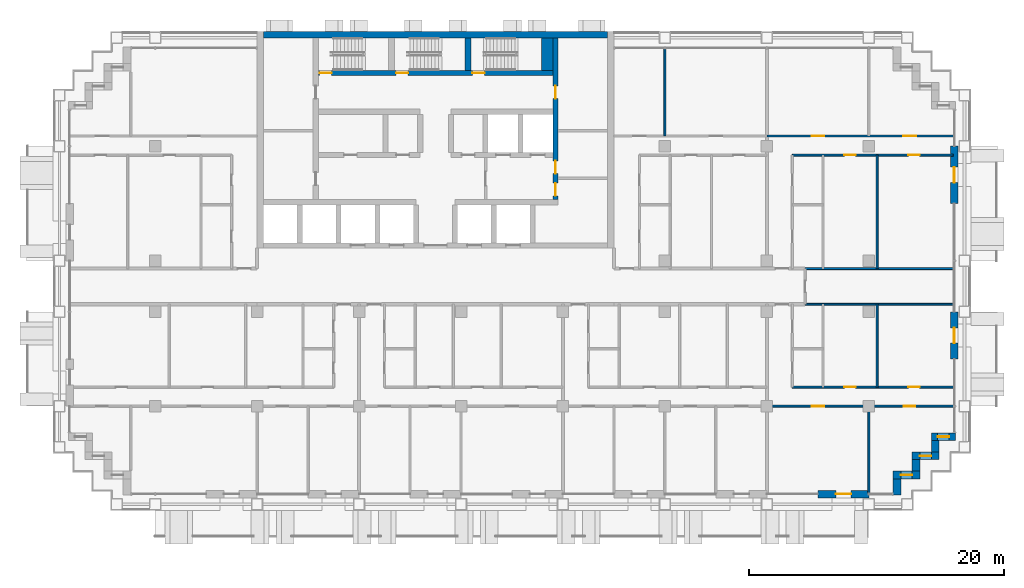
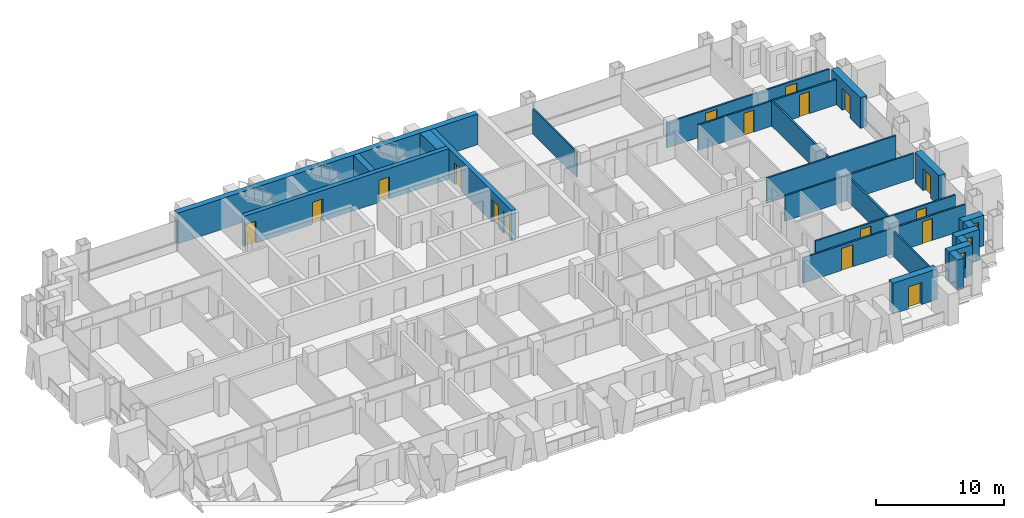
# One storey, part 13 of 18: 24 walls, 17 doors, 3 windows, 20 openings.
"""IFC4 building model written with IfcOpenShell, lengths in metres."""

from ifc_helpers import new_model, si_unit, direction, frame, frame_2d, origin, place, context, subcontext, project, spatial, rectangle, extrude, material, layer, layer_set, type_object, element, fill, save


model = new_model("IFC4")

# Units and contexts
model_context = context("Model", 3, precision=1e-05, world=origin(), true_north=direction((0.0, 1.0)))
body_context = subcontext(model_context, "Body", "Model", "MODEL_VIEW")
ifc_project = project(units=[si_unit("LENGTHUNIT", "METRE"), si_unit("AREAUNIT", "SQUARE_METRE"), si_unit("VOLUMEUNIT", "CUBIC_METRE"), si_unit("PLANEANGLEUNIT", "RADIAN"), si_unit("MASSUNIT", "GRAM", prefix="KILO")], contexts=[model_context])

# Site, building, storey
site_placement = place(None, origin())
site = spatial("IfcSite", under=ifc_project, at=site_placement, CompositionType="ELEMENT")
building_placement = place(site_placement, origin())
building = spatial("IfcBuilding", under=site, at=building_placement, Name="Vidyagriha Tower", CompositionType="ELEMENT")
storey_placement = place(building_placement, frame((0.0, 0.0, 83.89990234375)))
storey = spatial("IfcBuildingStorey", under=building, at=storey_placement, Name="L21", CompositionType="ELEMENT", Elevation=83.89990234375)

# Wall, opening, door
ifc_material_1 = material(Name="Precast concrete C40/50 with brick facing", Category="concrete")
ifc_layer_1 = layer(ifc_material_1, 0.60009765625)
ifc_layer_set_1 = layer_set([ifc_layer_1], Name="Precast concrete C40/50 with brick facing")
wall_type_1 = type_object("IfcWallType", Name="Brick-faced precast wall 600", PredefinedType="STANDARD", material=ifc_layer_set_1)
wall_1_placement = place(storey_placement, frame((30.0, -16.300048828125, 0.0)))
wall_1 = element("IfcWall", 1, at=wall_1_placement, inside=storey, type_object=wall_type_1, Name="Brick door bay wall L21 R23.15", PredefinedType="STANDARD", context=body_context, shape_type="SweptSolid", body=[
    extrude(rectangle(XDim=4.0, YDim=0.60009765625, at=frame_2d((2.0, 0.0))), origin(), (0.0, 0.0, 1.0), 2.920166015625),
])
opening_1_placement = place(wall_1_placement, frame((1.39990234375, 0.0, 0.0)))
opening_1 = element("IfcOpeningElement", 2, at=opening_1_placement, cuts=wall_1, Name="Opening D21-80", PredefinedType="OPENING", context=body_context, shape_type="SweptSolid", body=[
    extrude(rectangle(XDim=1.199951171875, YDim=2.10009765625, at=frame_2d((0.60009765625, 1.050048828125))), frame((0.0, 0.31005859375, 0.0), z_axis=(0.0, -1.0, 0.0), x_axis=(1.0, 0.0, 0.0)), (0.0, 0.0, 1.0), 0.6201171875),
])
ifc_material_2 = material(Name="Aluminium framed glazed sliding door", Category="aluminium")
door_type_1 = type_object("IfcDoorType", Name="Balcony sliding door 1200x2100", OperationType="NOTDEFINED", PredefinedType="DOOR", material=ifc_material_2)
door_1_placement = place(opening_1_placement, origin())
door_1 = element("IfcDoor", 3, at=door_1_placement, inside=storey, type_object=door_type_1, Name="Door D21-80", OperationType="SLIDING_TO_LEFT", OverallHeight=2.10009765625, OverallWidth=1.199951171875, PredefinedType="DOOR", context=body_context, shape_type="SweptSolid", body=[
    extrude(rectangle(XDim=1.199951171875, YDim=2.10009765625, at=frame_2d((0.60009765625, 1.050048828125))), frame((0.0, 0.02490234375, 0.0), z_axis=(0.0, -1.0, 0.0), x_axis=(1.0, 0.0, 0.0)), (0.0, 0.0, 1.0), 0.050048828125),
])
fill(opening_1, door_1)

# Wall
wall_2_placement = place(storey_placement, frame((36.199951171875, -16.3798828125, 0.0), z_axis=(0.0, 0.0, 1.0), x_axis=(0.0, 1.0, 0.0)))
element("IfcWall", 4, at=wall_2_placement, inside=storey, type_object=wall_type_1, Name="Stepped corner wall L21 R24", PredefinedType="STANDARD", context=body_context, shape_type="SweptSolid", body=[
    extrude(rectangle(XDim=1.27978515625, YDim=0.60009765625, at=frame_2d((0.639892578125, 0.0))), origin(), (0.0, 0.0, 1.0), 2.920166015625),
])

# Wall, opening, window
wall_3_placement = place(storey_placement, frame((35.89990234375, -14.800048828125, 0.0)))
wall_3 = element("IfcWall", 5, at=wall_3_placement, inside=storey, type_object=wall_type_1, Name="Stepped corner wall L21 R25", PredefinedType="STANDARD", context=body_context, shape_type="SweptSolid", body=[
    extrude(rectangle(XDim=2.10009765625, YDim=0.60009765625, at=frame_2d((1.050048828125, 0.0))), origin(), (0.0, 0.0, 1.0), 2.920166015625),
])
opening_2_placement = place(wall_3_placement, frame((0.60009765625, 0.0, 0.89990234375)))
opening_2 = element("IfcOpeningElement", 6, at=opening_2_placement, cuts=wall_3, Name="Opening WN1", PredefinedType="OPENING", context=body_context, shape_type="SweptSolid", body=[
    extrude(rectangle(XDim=0.89990234375, YDim=1.5, at=frame_2d((0.449951171875, 0.75))), frame((0.0, 0.31005859375, 0.0), z_axis=(0.0, -1.0, 0.0), x_axis=(1.0, 0.0, 0.0)), (0.0, 0.0, 1.0), 0.6201171875),
])
ifc_material_3 = material(Name="Aluminium and glass window", Category="aluminium")
window_type = type_object("IfcWindowType", Name="Reveal window 900x1500", PartitioningType="NOTDEFINED", PredefinedType="WINDOW", material=ifc_material_3)
window_1_placement = place(opening_2_placement, origin())
window_1 = element("IfcWindow", 7, at=window_1_placement, inside=storey, type_object=window_type, Name="Reveal window L21 R25", OverallHeight=1.5, OverallWidth=0.89990234375, PartitioningType="SINGLE_PANEL", PredefinedType="WINDOW", context=body_context, shape_type="SweptSolid", body=[
    extrude(rectangle(XDim=0.89990234375, YDim=1.5, at=frame_2d((0.449951171875, 0.75))), frame((0.0, 0.030029296875, 0.0), z_axis=(0.0, -1.0, 0.0), x_axis=(1.0, 0.0, 0.0)), (0.0, 0.0, 1.0), 0.06005859375),
])
fill(opening_2, window_1)

# Wall
wall_4_placement = place(storey_placement, frame((37.699951171875, -14.5, 0.0), z_axis=(0.0, 0.0, 1.0), x_axis=(0.0, 1.0, 0.0)))
element("IfcWall", 8, at=wall_4_placement, inside=storey, type_object=wall_type_1, Name="Stepped corner wall L21 R26", PredefinedType="STANDARD", context=body_context, shape_type="SweptSolid", body=[
    extrude(rectangle(XDim=0.89990234375, YDim=0.60009765625, at=frame_2d((0.449951171875, 0.0))), origin(), (0.0, 0.0, 1.0), 2.920166015625),
])

# Wall, opening, window
wall_5_placement = place(storey_placement, frame((37.39990234375, -13.300048828125, 0.0)))
wall_5 = element("IfcWall", 9, at=wall_5_placement, inside=storey, type_object=wall_type_1, Name="Stepped corner wall L21 R27", PredefinedType="STANDARD", context=body_context, shape_type="SweptSolid", body=[
    extrude(rectangle(XDim=2.10009765625, YDim=0.60009765625, at=frame_2d((1.050048828125, 0.0))), origin(), (0.0, 0.0, 1.0), 2.920166015625),
])
opening_3_placement = place(wall_5_placement, frame((0.60009765625, 0.0, 0.89990234375)))
opening_3 = element("IfcOpeningElement", 10, at=opening_3_placement, cuts=wall_5, Name="Opening WN1", PredefinedType="OPENING", context=body_context, shape_type="SweptSolid", body=[
    extrude(rectangle(XDim=0.89990234375, YDim=1.5, at=frame_2d((0.449951171875, 0.75))), frame((0.0, 0.31005859375, 0.0), z_axis=(0.0, -1.0, 0.0), x_axis=(1.0, 0.0, 0.0)), (0.0, 0.0, 1.0), 0.6201171875),
])
window_2_placement = place(opening_3_placement, origin())
window_2 = element("IfcWindow", 11, at=window_2_placement, inside=storey, type_object=window_type, Name="Reveal window L21 R27", OverallHeight=1.5, OverallWidth=0.89990234375, PartitioningType="SINGLE_PANEL", PredefinedType="WINDOW", context=body_context, shape_type="SweptSolid", body=[
    extrude(rectangle(XDim=0.89990234375, YDim=1.5, at=frame_2d((0.449951171875, 0.75))), frame((0.0, 0.030029296875, 0.0), z_axis=(0.0, -1.0, 0.0), x_axis=(1.0, 0.0, 0.0)), (0.0, 0.0, 1.0), 0.06005859375),
])
fill(opening_3, window_2)

# Wall
wall_6_placement = place(storey_placement, frame((39.199951171875, -13.0, 0.0), z_axis=(0.0, 0.0, 1.0), x_axis=(0.0, 1.0, 0.0)))
element("IfcWall", 12, at=wall_6_placement, inside=storey, type_object=wall_type_1, Name="Stepped corner wall L21 R28", PredefinedType="STANDARD", context=body_context, shape_type="SweptSolid", body=[
    extrude(rectangle(XDim=0.89990234375, YDim=0.60009765625, at=frame_2d((0.449951171875, 0.0))), origin(), (0.0, 0.0, 1.0), 2.920166015625),
])

# Wall, opening, window
wall_7_placement = place(storey_placement, frame((38.89990234375, -11.800048828125, 0.0)))
wall_7 = element("IfcWall", 13, at=wall_7_placement, inside=storey, type_object=wall_type_1, Name="Stepped corner wall L21 R29", PredefinedType="STANDARD", context=body_context, shape_type="SweptSolid", body=[
    extrude(rectangle(XDim=1.880126953125, YDim=0.60009765625, at=frame_2d((0.93994140625, 0.0))), origin(), (0.0, 0.0, 1.0), 2.920166015625),
])
opening_4_placement = place(wall_7_placement, frame((0.489990234375, 0.0, 0.89990234375)))
opening_4 = element("IfcOpeningElement", 14, at=opening_4_placement, cuts=wall_7, Name="Opening WN1", PredefinedType="OPENING", context=body_context, shape_type="SweptSolid", body=[
    extrude(rectangle(XDim=0.89990234375, YDim=1.5, at=frame_2d((0.449951171875, 0.75))), frame((0.0, 0.31005859375, 0.0), z_axis=(0.0, -1.0, 0.0), x_axis=(1.0, 0.0, 0.0)), (0.0, 0.0, 1.0), 0.6201171875),
])
window_3_placement = place(opening_4_placement, origin())
window_3 = element("IfcWindow", 15, at=window_3_placement, inside=storey, type_object=window_type, Name="Reveal window L21 R29", OverallHeight=1.5, OverallWidth=0.89990234375, PartitioningType="SINGLE_PANEL", PredefinedType="WINDOW", context=body_context, shape_type="SweptSolid", body=[
    extrude(rectangle(XDim=0.89990234375, YDim=1.5, at=frame_2d((0.449951171875, 0.75))), frame((0.0, 0.030029296875, 0.0), z_axis=(0.0, -1.0, 0.0), x_axis=(1.0, 0.0, 0.0)), (0.0, 0.0, 1.0), 0.06005859375),
])
fill(opening_4, window_3)

# Wall, opening, door
wall_8_placement = place(storey_placement, frame((40.699951171875, -5.699951171875, 0.0), z_axis=(0.0, 0.0, 1.0), x_axis=(0.0, 1.0, 0.0)))
wall_8 = element("IfcWall", 16, at=wall_8_placement, inside=storey, type_object=wall_type_1, Name="Brick door bay wall L21 R30.3", PredefinedType="STANDARD", context=body_context, shape_type="SweptSolid", body=[
    extrude(rectangle(XDim=3.699951171875, YDim=0.60009765625, at=frame_2d((1.85009765625, 0.0))), origin(), (0.0, 0.0, 1.0), 2.920166015625),
])
opening_5_placement = place(wall_8_placement, frame((1.25, 0.0, 0.0)))
opening_5 = element("IfcOpeningElement", 17, at=opening_5_placement, cuts=wall_8, Name="Opening D21-81", PredefinedType="OPENING", context=body_context, shape_type="SweptSolid", body=[
    extrude(rectangle(XDim=1.199951171875, YDim=2.10009765625, at=frame_2d((0.60009765625, 1.050048828125))), frame((0.0, 0.31005859375, 0.0), z_axis=(0.0, -1.0, 0.0), x_axis=(1.0, 0.0, 0.0)), (0.0, 0.0, 1.0), 0.6201171875),
])
door_2_placement = place(opening_5_placement, origin())
door_2 = element("IfcDoor", 18, at=door_2_placement, inside=storey, type_object=door_type_1, Name="Door D21-81", OperationType="SLIDING_TO_LEFT", OverallHeight=2.10009765625, OverallWidth=1.199951171875, PredefinedType="DOOR", context=body_context, shape_type="SweptSolid", body=[
    extrude(rectangle(XDim=1.199951171875, YDim=2.10009765625, at=frame_2d((0.60009765625, 1.050048828125))), frame((0.0, 0.02490234375, 0.0), z_axis=(0.0, -1.0, 0.0), x_axis=(1.0, 0.0, 0.0)), (0.0, 0.0, 1.0), 0.050048828125),
])
fill(opening_5, door_2)

wall_9_placement = place(storey_placement, frame((40.699951171875, 6.5, 0.0), z_axis=(0.0, 0.0, 1.0), x_axis=(0.0, 1.0, 0.0)))
wall_9 = element("IfcWall", 19, at=wall_9_placement, inside=storey, type_object=wall_type_1, Name="Brick door bay wall L21 R30.6", PredefinedType="STANDARD", context=body_context, shape_type="SweptSolid", body=[
    extrude(rectangle(XDim=4.5, YDim=0.60009765625, at=frame_2d((2.25, 0.0))), origin(), (0.0, 0.0, 1.0), 2.920166015625),
])
opening_6_placement = place(wall_9_placement, frame((1.64990234375, 0.0, 0.0)))
opening_6 = element("IfcOpeningElement", 20, at=opening_6_placement, cuts=wall_9, Name="Opening D21-82", PredefinedType="OPENING", context=body_context, shape_type="SweptSolid", body=[
    extrude(rectangle(XDim=1.199951171875, YDim=2.10009765625, at=frame_2d((0.60009765625, 1.050048828125))), frame((0.0, 0.31005859375, 0.0), z_axis=(0.0, -1.0, 0.0), x_axis=(1.0, 0.0, 0.0)), (0.0, 0.0, 1.0), 0.6201171875),
])
door_3_placement = place(opening_6_placement, origin())
door_3 = element("IfcDoor", 21, at=door_3_placement, inside=storey, type_object=door_type_1, Name="Door D21-82", OperationType="SLIDING_TO_LEFT", OverallHeight=2.10009765625, OverallWidth=1.199951171875, PredefinedType="DOOR", context=body_context, shape_type="SweptSolid", body=[
    extrude(rectangle(XDim=1.199951171875, YDim=2.10009765625, at=frame_2d((0.60009765625, 1.050048828125))), frame((0.0, 0.02490234375, 0.0), z_axis=(0.0, -1.0, 0.0), x_axis=(1.0, 0.0, 0.0)), (0.0, 0.0, 1.0), 0.050048828125),
])
fill(opening_6, door_3)

# Wall, openings, doors
ifc_material_4 = material(Name="Concrete C60/75", Category="concrete")
ifc_layer_2 = layer(ifc_material_4, 0.39990234375)
ifc_layer_set_2 = layer_set([ifc_layer_2], Name="Concrete C60/75")
wall_type_2 = type_object("IfcWallType", Name="Core shear wall 400 mm", PredefinedType="SHEAR", material=ifc_layer_set_2)
wall_10_placement = place(storey_placement, frame((9.39990234375, 6.800048828125, 0.0), z_axis=(0.0, 0.0, 1.0), x_axis=(0.0, 1.0, 0.0)))
wall_10 = element("IfcWall", 22, at=wall_10_placement, inside=storey, type_object=wall_type_2, Name="Core east spine wall", PredefinedType="SHEAR", context=body_context, shape_type="SweptSolid", body=[
    extrude(rectangle(XDim=12.699951171875, YDim=0.39990234375, at=frame_2d((6.35009765625, 0.0))), origin(), (0.0, 0.0, 1.0), 2.920166015625),
])
opening_7_placement = place(wall_10_placement, frame((0.300048828125, 0.0, 0.0)))
opening_7 = element("IfcOpeningElement", 23, at=opening_7_placement, cuts=wall_10, Name="Opening D21-11", PredefinedType="OPENING", context=body_context, shape_type="SweptSolid", body=[
    extrude(rectangle(XDim=1.0, YDim=2.10009765625, at=frame_2d((0.5, 1.050048828125))), frame((0.0, 0.2099609375, 0.0), z_axis=(0.0, -1.0, 0.0), x_axis=(1.0, 0.0, 0.0)), (0.0, 0.0, 1.0), 0.419921875),
])
opening_8_placement = place(wall_10_placement, frame((2.050048828125, 0.0, 0.0)))
opening_8 = element("IfcOpeningElement", 24, at=opening_8_placement, cuts=wall_10, Name="Opening D21-12", PredefinedType="OPENING", context=body_context, shape_type="SweptSolid", body=[
    extrude(rectangle(XDim=1.0, YDim=2.10009765625, at=frame_2d((0.5, 1.050048828125))), frame((0.0, 0.2099609375, 0.0), z_axis=(0.0, -1.0, 0.0), x_axis=(1.0, 0.0, 0.0)), (0.0, 0.0, 1.0), 0.419921875),
])
opening_9_placement = place(wall_10_placement, frame((7.925048828125, 0.0, 0.0)))
opening_9 = element("IfcOpeningElement", 25, at=opening_9_placement, cuts=wall_10, Name="Opening D21-13", PredefinedType="OPENING", context=body_context, shape_type="SweptSolid", body=[
    extrude(rectangle(XDim=1.0, YDim=2.10009765625, at=frame_2d((0.5, 1.050048828125))), frame((0.0, 0.2099609375, 0.0), z_axis=(0.0, -1.0, 0.0), x_axis=(1.0, 0.0, 0.0)), (0.0, 0.0, 1.0), 0.419921875),
])
ifc_material_5 = material(Name="Hollow metal door leaf")
door_type_2 = type_object("IfcDoorType", Name="Core room door 1000 x 2100 mm EI 60", OperationType="NOTDEFINED", PredefinedType="DOOR", material=ifc_material_5)
door_4_placement = place(opening_7_placement, origin())
door_4 = element("IfcDoor", 26, at=door_4_placement, inside=storey, type_object=door_type_2, Name="Door Switchgear Room 21.E1", OperationType="SINGLE_SWING_RIGHT", OverallHeight=2.10009765625, OverallWidth=1.0, PredefinedType="DOOR", context=body_context, shape_type="SweptSolid", body=[
    extrude(rectangle(XDim=1.0, YDim=2.10009765625, at=frame_2d((0.5, 1.050048828125))), frame((0.0, 0.02490234375, 0.0), z_axis=(0.0, -1.0, 0.0), x_axis=(1.0, 0.0, 0.0)), (0.0, 0.0, 1.0), 0.050048828125),
])
fill(opening_7, door_4)
door_5_placement = place(opening_8_placement, origin())
door_5 = element("IfcDoor", 27, at=door_5_placement, inside=storey, type_object=door_type_2, Name="Door Communications Room 21.E2", OperationType="SINGLE_SWING_LEFT", OverallHeight=2.10009765625, OverallWidth=1.0, PredefinedType="DOOR", context=body_context, shape_type="SweptSolid", body=[
    extrude(rectangle(XDim=1.0, YDim=2.10009765625, at=frame_2d((0.5, 1.050048828125))), frame((0.0, 0.02490234375, 0.0), z_axis=(0.0, -1.0, 0.0), x_axis=(1.0, 0.0, 0.0)), (0.0, 0.0, 1.0), 0.050048828125),
])
fill(opening_8, door_5)
door_6_placement = place(opening_9_placement, origin())
door_6 = element("IfcDoor", 28, at=door_6_placement, inside=storey, type_object=door_type_2, Name="Door Pressurisation Plant Room 21.E3", OperationType="SINGLE_SWING_LEFT", OverallHeight=2.10009765625, OverallWidth=1.0, PredefinedType="DOOR", context=body_context, shape_type="SweptSolid", body=[
    extrude(rectangle(XDim=1.0, YDim=2.10009765625, at=frame_2d((0.5, 1.050048828125))), frame((0.0, 0.02490234375, 0.0), z_axis=(0.0, -1.0, 0.0), x_axis=(1.0, 0.0, 0.0)), (0.0, 0.0, 1.0), 0.050048828125),
])
fill(opening_9, door_6)

wall_11_placement = place(storey_placement, frame((-9.199951171875, 16.75, 0.0)))
wall_11 = element("IfcWall", 29, at=wall_11_placement, inside=storey, type_object=wall_type_2, Name="Stair front wall", PredefinedType="SHEAR", context=body_context, shape_type="SweptSolid", body=[
    extrude(rectangle(XDim=18.39990234375, YDim=0.39990234375, at=frame_2d((9.199951171875, 0.0))), origin(), (0.0, 0.0, 1.0), 2.920166015625),
])
opening_10_placement = place(wall_11_placement, frame((0.10009765625, 0.0, 0.0)))
opening_10 = element("IfcOpeningElement", 30, at=opening_10_placement, cuts=wall_11, Name="Opening D21-06", PredefinedType="OPENING", context=body_context, shape_type="SweptSolid", body=[
    extrude(rectangle(XDim=0.949951171875, YDim=2.10009765625, at=frame_2d((0.47509765625, 1.050048828125))), frame((0.0, 0.2099609375, 0.0), z_axis=(0.0, -1.0, 0.0), x_axis=(1.0, 0.0, 0.0)), (0.0, 0.0, 1.0), 0.419921875),
])
opening_11_placement = place(wall_11_placement, frame((6.10009765625, 0.0, 0.0)))
opening_11 = element("IfcOpeningElement", 31, at=opening_11_placement, cuts=wall_11, Name="Opening D21-07", PredefinedType="OPENING", context=body_context, shape_type="SweptSolid", body=[
    extrude(rectangle(XDim=0.949951171875, YDim=2.10009765625, at=frame_2d((0.47509765625, 1.050048828125))), frame((0.0, 0.2099609375, 0.0), z_axis=(0.0, -1.0, 0.0), x_axis=(1.0, 0.0, 0.0)), (0.0, 0.0, 1.0), 0.419921875),
])
opening_12_placement = place(wall_11_placement, frame((12.10009765625, 0.0, 0.0)))
opening_12 = element("IfcOpeningElement", 32, at=opening_12_placement, cuts=wall_11, Name="Opening D21-08", PredefinedType="OPENING", context=body_context, shape_type="SweptSolid", body=[
    extrude(rectangle(XDim=0.949951171875, YDim=2.10009765625, at=frame_2d((0.47509765625, 1.050048828125))), frame((0.0, 0.2099609375, 0.0), z_axis=(0.0, -1.0, 0.0), x_axis=(1.0, 0.0, 0.0)), (0.0, 0.0, 1.0), 0.419921875),
])
ifc_material_6 = material(Name="Hollow metal door leaf")
door_type_3 = type_object("IfcDoorType", Name="Exit stair door 950 x 2100 mm EI 90", OperationType="NOTDEFINED", PredefinedType="DOOR", material=ifc_material_6)
door_7_placement = place(opening_10_placement, origin())
door_7 = element("IfcDoor", 33, at=door_7_placement, inside=storey, type_object=door_type_3, Name="Stair door ST1 L21", OperationType="SINGLE_SWING_LEFT", OverallHeight=2.10009765625, OverallWidth=0.949951171875, PredefinedType="DOOR", context=body_context, shape_type="SweptSolid", body=[
    extrude(rectangle(XDim=0.949951171875, YDim=2.10009765625, at=frame_2d((0.47509765625, 1.050048828125))), frame((0.0, 0.02490234375, 0.0), z_axis=(0.0, -1.0, 0.0), x_axis=(1.0, 0.0, 0.0)), (0.0, 0.0, 1.0), 0.050048828125),
])
fill(opening_10, door_7)
door_8_placement = place(opening_11_placement, origin())
door_8 = element("IfcDoor", 34, at=door_8_placement, inside=storey, type_object=door_type_3, Name="Stair door ST2 L21", OperationType="SINGLE_SWING_LEFT", OverallHeight=2.10009765625, OverallWidth=0.949951171875, PredefinedType="DOOR", context=body_context, shape_type="SweptSolid", body=[
    extrude(rectangle(XDim=0.949951171875, YDim=2.10009765625, at=frame_2d((0.47509765625, 1.050048828125))), frame((0.0, 0.02490234375, 0.0), z_axis=(0.0, -1.0, 0.0), x_axis=(1.0, 0.0, 0.0)), (0.0, 0.0, 1.0), 0.050048828125),
])
fill(opening_11, door_8)
door_9_placement = place(opening_12_placement, origin())
door_9 = element("IfcDoor", 35, at=door_9_placement, inside=storey, type_object=door_type_3, Name="Stair door ST3 L21", OperationType="SINGLE_SWING_LEFT", OverallHeight=2.10009765625, OverallWidth=0.949951171875, PredefinedType="DOOR", context=body_context, shape_type="SweptSolid", body=[
    extrude(rectangle(XDim=0.949951171875, YDim=2.10009765625, at=frame_2d((0.47509765625, 1.050048828125))), frame((0.0, 0.02490234375, 0.0), z_axis=(0.0, -1.0, 0.0), x_axis=(1.0, 0.0, 0.0)), (0.0, 0.0, 1.0), 0.050048828125),
])
fill(opening_12, door_9)

# Walls
ifc_material_7 = material(Name="Concrete C60/75", Category="concrete")
ifc_layer_3 = layer(ifc_material_7, 0.5)
ifc_layer_set_3 = layer_set([ifc_layer_3], Name="Concrete C60/75")
wall_type_3 = type_object("IfcWallType", Name="Core shear wall 500 mm", PredefinedType="SHEAR", material=ifc_layer_set_3)
wall_12_placement = place(storey_placement, frame((-13.5, 19.75, 0.0)))
element("IfcWall", 36, at=wall_12_placement, inside=storey, type_object=wall_type_3, Name="Core north wall", PredefinedType="SHEAR", context=body_context, shape_type="SweptSolid", body=[
    extrude(rectangle(XDim=27.0, YDim=0.5, at=frame_2d((13.5, 0.0))), origin(), (0.0, 0.0, 1.0), 2.920166015625),
])
wall_13_placement = place(storey_placement, frame((2.550048828125, 16.949951171875, 0.0), z_axis=(0.0, 0.0, 1.0), x_axis=(0.0, 1.0, 0.0)))
element("IfcWall", 37, at=wall_13_placement, inside=storey, type_object=wall_type_3, Name="Stair partition wall 2", PredefinedType="SHEAR", context=body_context, shape_type="SweptSolid", body=[
    extrude(rectangle(XDim=2.550048828125, YDim=0.5, at=frame_2d((1.27490234375, 0.0))), origin(), (0.0, 0.0, 1.0), 2.920166015625),
])
ifc_material_8 = material(Name="Concrete C60/75", Category="concrete")
ifc_layer_4 = layer(ifc_material_8, 0.89990234375)
ifc_layer_set_4 = layer_set([ifc_layer_4], Name="Concrete C60/75")
wall_type_4 = type_object("IfcWallType", Name="Core shear wall 900 mm", PredefinedType="SHEAR", material=ifc_layer_set_4)
wall_14_placement = place(storey_placement, frame((8.75, 16.949951171875, 0.0), z_axis=(0.0, 0.0, 1.0), x_axis=(0.0, 1.0, 0.0)))
element("IfcWall", 38, at=wall_14_placement, inside=storey, type_object=wall_type_4, Name="Stair end wall", PredefinedType="SHEAR", context=body_context, shape_type="SweptSolid", body=[
    extrude(rectangle(XDim=2.550048828125, YDim=0.89990234375, at=frame_2d((1.27490234375, 0.0))), origin(), (0.0, 0.0, 1.0), 2.920166015625),
])
ifc_material_9 = material(Name="Gypsum board partition")
ifc_layer_5 = layer(ifc_material_9, 0.14990234375)
ifc_layer_set_5 = layer_set([ifc_layer_5], Name="Gypsum board partition")
wall_type_5 = type_object("IfcWallType", Name="Gypsum board partition 150", PredefinedType="PARTITIONING", material=ifc_layer_set_5)
wall_15_placement = place(storey_placement, frame((34.64990234375, -1.39990234375, 0.0), z_axis=(0.0, 0.0, 1.0), x_axis=(0.0, -1.0, 0.0)))
element("IfcWall", 39, at=wall_15_placement, inside=storey, type_object=wall_type_5, Name="Wall all-L21-w066", PredefinedType="PARTITIONING", context=body_context, shape_type="SweptSolid", body=[
    extrude(rectangle(XDim=6.5, YDim=0.14990234375, at=frame_2d((3.25, 0.0))), origin(), (0.0, 0.0, 1.0), 2.400146484375),
])

# Wall, openings, doors
wall_16_placement = place(storey_placement, frame((28.0, -7.89990234375, 0.0)))
wall_16 = element("IfcWall", 40, at=wall_16_placement, inside=storey, type_object=wall_type_5, Name="Wall all-L21-w067", PredefinedType="PARTITIONING", context=body_context, shape_type="SweptSolid", body=[
    extrude(rectangle(XDim=12.6201171875, YDim=0.14990234375, at=frame_2d((6.31005859375, 0.0))), origin(), (0.0, 0.0, 1.0), 2.400146484375),
])
opening_13_placement = place(wall_16_placement, frame((4.074951171875, 0.0, 0.0)))
opening_13 = element("IfcOpeningElement", 41, at=opening_13_placement, cuts=wall_16, Name="Opening D21-45", PredefinedType="OPENING", context=body_context, shape_type="SweptSolid", body=[
    extrude(rectangle(XDim=0.89990234375, YDim=2.10009765625, at=frame_2d((0.449951171875, 1.050048828125))), frame((0.0, 0.0849609375, 0.0), z_axis=(0.0, -1.0, 0.0), x_axis=(1.0, 0.0, 0.0)), (0.0, 0.0, 1.0), 0.169921875),
])
opening_14_placement = place(wall_16_placement, frame((9.074951171875, 0.0, 0.0)))
opening_14 = element("IfcOpeningElement", 42, at=opening_14_placement, cuts=wall_16, Name="Opening D21-46", PredefinedType="OPENING", context=body_context, shape_type="SweptSolid", body=[
    extrude(rectangle(XDim=0.89990234375, YDim=2.10009765625, at=frame_2d((0.449951171875, 1.050048828125))), frame((0.0, 0.0849609375, 0.0), z_axis=(0.0, -1.0, 0.0), x_axis=(1.0, 0.0, 0.0)), (0.0, 0.0, 1.0), 0.169921875),
])
ifc_material_10 = material(Name="Timber door leaf", Category="wood")
door_type_4 = type_object("IfcDoorType", Name="Room door 900x2100", OperationType="NOTDEFINED", PredefinedType="DOOR", material=ifc_material_10)
door_10_placement = place(opening_13_placement, origin())
door_10 = element("IfcDoor", 43, at=door_10_placement, inside=storey, type_object=door_type_4, Name="Door D21-45", OperationType="SINGLE_SWING_RIGHT", OverallHeight=2.10009765625, OverallWidth=0.89990234375, PredefinedType="DOOR", context=body_context, shape_type="SweptSolid", body=[
    extrude(rectangle(XDim=0.89990234375, YDim=2.10009765625, at=frame_2d((0.449951171875, 1.050048828125))), frame((0.0, 0.02490234375, 0.0), z_axis=(0.0, -1.0, 0.0), x_axis=(1.0, 0.0, 0.0)), (0.0, 0.0, 1.0), 0.050048828125),
])
fill(opening_13, door_10)
door_11_placement = place(opening_14_placement, origin())
door_11 = element("IfcDoor", 44, at=door_11_placement, inside=storey, type_object=door_type_4, Name="Door D21-46", OperationType="SINGLE_SWING_RIGHT", OverallHeight=2.10009765625, OverallWidth=0.89990234375, PredefinedType="DOOR", context=body_context, shape_type="SweptSolid", body=[
    extrude(rectangle(XDim=0.89990234375, YDim=2.10009765625, at=frame_2d((0.449951171875, 1.050048828125))), frame((0.0, 0.02490234375, 0.0), z_axis=(0.0, -1.0, 0.0), x_axis=(1.0, 0.0, 0.0)), (0.0, 0.0, 1.0), 0.050048828125),
])
fill(opening_14, door_11)

wall_17_placement = place(storey_placement, frame((40.6201171875, -9.39990234375, 0.0), z_axis=(0.0, 0.0, 1.0), x_axis=(-1.0, 0.0, 0.0)))
wall_17 = element("IfcWall", 45, at=wall_17_placement, inside=storey, type_object=wall_type_5, Name="Wall all-L21-w070", PredefinedType="PARTITIONING", context=body_context, shape_type="SweptSolid", body=[
    extrude(rectangle(XDim=14.6201171875, YDim=0.14990234375, at=frame_2d((7.31005859375, 0.0))), origin(), (0.0, 0.0, 1.0), 2.400146484375),
])
opening_15_placement = place(wall_17_placement, frame((10.1201171875, 0.0, 0.0)))
opening_15 = element("IfcOpeningElement", 46, at=opening_15_placement, cuts=wall_17, Name="Opening D21-47", PredefinedType="OPENING", context=body_context, shape_type="SweptSolid", body=[
    extrude(rectangle(XDim=1.0, YDim=2.10009765625, at=frame_2d((0.5, 1.050048828125))), frame((0.0, 0.0849609375, 0.0), z_axis=(0.0, -1.0, 0.0), x_axis=(1.0, 0.0, 0.0)), (0.0, 0.0, 1.0), 0.169921875),
])
opening_16_placement = place(wall_17_placement, frame((2.969970703125, 0.0, 0.0)))
opening_16 = element("IfcOpeningElement", 47, at=opening_16_placement, cuts=wall_17, Name="Opening D21-48", PredefinedType="OPENING", context=body_context, shape_type="SweptSolid", body=[
    extrude(rectangle(XDim=0.89990234375, YDim=2.10009765625, at=frame_2d((0.449951171875, 1.050048828125))), frame((0.0, 0.0849609375, 0.0), z_axis=(0.0, -1.0, 0.0), x_axis=(1.0, 0.0, 0.0)), (0.0, 0.0, 1.0), 0.169921875),
])
ifc_material_11 = material(Name="Timber door leaf", Category="wood")
door_type_5 = type_object("IfcDoorType", Name="Room door 1000x2100", OperationType="NOTDEFINED", PredefinedType="DOOR", material=ifc_material_11)
door_12_placement = place(opening_15_placement, origin())
door_12 = element("IfcDoor", 48, at=door_12_placement, inside=storey, type_object=door_type_5, Name="Door D21-47", OperationType="SINGLE_SWING_RIGHT", OverallHeight=2.10009765625, OverallWidth=1.0, PredefinedType="DOOR", context=body_context, shape_type="SweptSolid", body=[
    extrude(rectangle(XDim=1.0, YDim=2.10009765625, at=frame_2d((0.5, 1.050048828125))), frame((0.0, 0.02490234375, 0.0), z_axis=(0.0, -1.0, 0.0), x_axis=(1.0, 0.0, 0.0)), (0.0, 0.0, 1.0), 0.050048828125),
])
fill(opening_15, door_12)
door_13_placement = place(opening_16_placement, origin())
door_13 = element("IfcDoor", 49, at=door_13_placement, inside=storey, type_object=door_type_4, Name="Door D21-48", OperationType="SINGLE_SWING_LEFT", OverallHeight=2.10009765625, OverallWidth=0.89990234375, PredefinedType="DOOR", context=body_context, shape_type="SweptSolid", body=[
    extrude(rectangle(XDim=0.89990234375, YDim=2.10009765625, at=frame_2d((0.449951171875, 1.050048828125))), frame((0.0, 0.02490234375, 0.0), z_axis=(0.0, -1.0, 0.0), x_axis=(1.0, 0.0, 0.0)), (0.0, 0.0, 1.0), 0.050048828125),
])
fill(opening_16, door_13)

# Walls
wall_18_placement = place(storey_placement, frame((34.0, -9.39990234375, 0.0), z_axis=(0.0, 0.0, 1.0), x_axis=(0.0, -1.0, 0.0)))
element("IfcWall", 50, at=wall_18_placement, inside=storey, type_object=wall_type_5, Name="Wall all-L21-w073", PredefinedType="PARTITIONING", context=body_context, shape_type="SweptSolid", body=[
    extrude(rectangle(XDim=6.81005859375, YDim=0.14990234375, at=frame_2d((3.405029296875, 0.0))), origin(), (0.0, 0.0, 1.0), 2.400146484375),
])
wall_19_placement = place(storey_placement, frame((40.6201171875, -1.39990234375, 0.0), z_axis=(0.0, 0.0, 1.0), x_axis=(-1.0, 0.0, 0.0)))
element("IfcWall", 51, at=wall_19_placement, inside=storey, type_object=wall_type_5, Name="Wall all-L21-w078", PredefinedType="PARTITIONING", context=body_context, shape_type="SweptSolid", body=[
    extrude(rectangle(XDim=11.6201171875, YDim=0.14990234375, at=frame_2d((5.81005859375, 0.0))), origin(), (0.0, 0.0, 1.0), 2.400146484375),
])
wall_20_placement = place(storey_placement, frame((18.0, 18.62109375, 0.0), z_axis=(0.0, 0.0, 1.0), x_axis=(0.0, -1.0, 0.0)))
element("IfcWall", 52, at=wall_20_placement, inside=storey, type_object=wall_type_5, Name="Wall all-L21-w106", PredefinedType="PARTITIONING", context=body_context, shape_type="SweptSolid", body=[
    extrude(rectangle(XDim=6.821044921875, YDim=0.14990234375, at=frame_2d((3.41064453125, 0.0))), origin(), (0.0, 0.0, 1.0), 2.400146484375),
])
wall_21_placement = place(storey_placement, frame((34.64990234375, 10.300048828125, 0.0), z_axis=(0.0, 0.0, 1.0), x_axis=(0.0, -1.0, 0.0)))
element("IfcWall", 53, at=wall_21_placement, inside=storey, type_object=wall_type_5, Name="Wall all-L21-w113", PredefinedType="PARTITIONING", context=body_context, shape_type="SweptSolid", body=[
    extrude(rectangle(XDim=8.900146484375, YDim=0.14990234375, at=frame_2d((4.4501953125, 0.0))), origin(), (0.0, 0.0, 1.0), 2.400146484375),
])

# Wall, openings, doors
wall_22_placement = place(storey_placement, frame((40.610107421875, 10.300048828125, 0.0), z_axis=(0.0, 0.0, 1.0), x_axis=(-1.0, 0.0, 0.0)))
wall_22 = element("IfcWall", 54, at=wall_22_placement, inside=storey, type_object=wall_type_5, Name="Wall all-L21-w114", PredefinedType="PARTITIONING", context=body_context, shape_type="SweptSolid", body=[
    extrude(rectangle(XDim=12.610107421875, YDim=0.14990234375, at=frame_2d((6.30517578125, 0.0))), origin(), (0.0, 0.0, 1.0), 2.400146484375),
])
opening_17_placement = place(wall_22_placement, frame((7.635009765625, 0.0, 0.0)))
opening_17 = element("IfcOpeningElement", 55, at=opening_17_placement, cuts=wall_22, Name="Opening D21-66", PredefinedType="OPENING", context=body_context, shape_type="SweptSolid", body=[
    extrude(rectangle(XDim=0.89990234375, YDim=2.10009765625, at=frame_2d((0.449951171875, 1.050048828125))), frame((0.0, 0.0849609375, 0.0), z_axis=(0.0, -1.0, 0.0), x_axis=(1.0, 0.0, 0.0)), (0.0, 0.0, 1.0), 0.169921875),
])
opening_18_placement = place(wall_22_placement, frame((2.635009765625, 0.0, 0.0)))
opening_18 = element("IfcOpeningElement", 56, at=opening_18_placement, cuts=wall_22, Name="Opening D21-67", PredefinedType="OPENING", context=body_context, shape_type="SweptSolid", body=[
    extrude(rectangle(XDim=0.89990234375, YDim=2.10009765625, at=frame_2d((0.449951171875, 1.050048828125))), frame((0.0, 0.0849609375, 0.0), z_axis=(0.0, -1.0, 0.0), x_axis=(1.0, 0.0, 0.0)), (0.0, 0.0, 1.0), 0.169921875),
])
door_14_placement = place(opening_17_placement, origin())
door_14 = element("IfcDoor", 57, at=door_14_placement, inside=storey, type_object=door_type_4, Name="Door D21-66", OperationType="SINGLE_SWING_RIGHT", OverallHeight=2.10009765625, OverallWidth=0.89990234375, PredefinedType="DOOR", context=body_context, shape_type="SweptSolid", body=[
    extrude(rectangle(XDim=0.89990234375, YDim=2.10009765625, at=frame_2d((0.449951171875, 1.050048828125))), frame((0.0, 0.02490234375, 0.0), z_axis=(0.0, -1.0, 0.0), x_axis=(1.0, 0.0, 0.0)), (0.0, 0.0, 1.0), 0.050048828125),
])
fill(opening_17, door_14)
door_15_placement = place(opening_18_placement, origin())
door_15 = element("IfcDoor", 58, at=door_15_placement, inside=storey, type_object=door_type_4, Name="Door D21-67", OperationType="SINGLE_SWING_RIGHT", OverallHeight=2.10009765625, OverallWidth=0.89990234375, PredefinedType="DOOR", context=body_context, shape_type="SweptSolid", body=[
    extrude(rectangle(XDim=0.89990234375, YDim=2.10009765625, at=frame_2d((0.449951171875, 1.050048828125))), frame((0.0, 0.02490234375, 0.0), z_axis=(0.0, -1.0, 0.0), x_axis=(1.0, 0.0, 0.0)), (0.0, 0.0, 1.0), 0.050048828125),
])
fill(opening_18, door_15)

wall_23_placement = place(storey_placement, frame((26.0, 11.800048828125, 0.0)))
wall_23 = element("IfcWall", 59, at=wall_23_placement, inside=storey, type_object=wall_type_5, Name="Wall all-L21-w117", PredefinedType="PARTITIONING", context=body_context, shape_type="SweptSolid", body=[
    extrude(rectangle(XDim=14.6201171875, YDim=0.14990234375, at=frame_2d((7.31005859375, 0.0))), origin(), (0.0, 0.0, 1.0), 2.400146484375),
])
opening_19_placement = place(wall_23_placement, frame((3.5, 0.0, 0.0)))
opening_19 = element("IfcOpeningElement", 60, at=opening_19_placement, cuts=wall_23, Name="Opening D21-68", PredefinedType="OPENING", context=body_context, shape_type="SweptSolid", body=[
    extrude(rectangle(XDim=1.0, YDim=2.10009765625, at=frame_2d((0.5, 1.050048828125))), frame((0.0, 0.0849609375, 0.0), z_axis=(0.0, -1.0, 0.0), x_axis=(1.0, 0.0, 0.0)), (0.0, 0.0, 1.0), 0.169921875),
])
opening_20_placement = place(wall_23_placement, frame((10.699951171875, 0.0, 0.0)))
opening_20 = element("IfcOpeningElement", 61, at=opening_20_placement, cuts=wall_23, Name="Opening D21-69", PredefinedType="OPENING", context=body_context, shape_type="SweptSolid", body=[
    extrude(rectangle(XDim=1.0, YDim=2.10009765625, at=frame_2d((0.5, 1.050048828125))), frame((0.0, 0.0849609375, 0.0), z_axis=(0.0, -1.0, 0.0), x_axis=(1.0, 0.0, 0.0)), (0.0, 0.0, 1.0), 0.169921875),
])
door_16_placement = place(opening_19_placement, origin())
door_16 = element("IfcDoor", 62, at=door_16_placement, inside=storey, type_object=door_type_5, Name="Door D21-68", OperationType="SINGLE_SWING_RIGHT", OverallHeight=2.10009765625, OverallWidth=1.0, PredefinedType="DOOR", context=body_context, shape_type="SweptSolid", body=[
    extrude(rectangle(XDim=1.0, YDim=2.10009765625, at=frame_2d((0.5, 1.050048828125))), frame((0.0, 0.02490234375, 0.0), z_axis=(0.0, -1.0, 0.0), x_axis=(1.0, 0.0, 0.0)), (0.0, 0.0, 1.0), 0.050048828125),
])
fill(opening_19, door_16)
door_17_placement = place(opening_20_placement, origin())
door_17 = element("IfcDoor", 63, at=door_17_placement, inside=storey, type_object=door_type_5, Name="Door D21-69", OperationType="SINGLE_SWING_RIGHT", OverallHeight=2.10009765625, OverallWidth=1.0, PredefinedType="DOOR", context=body_context, shape_type="SweptSolid", body=[
    extrude(rectangle(XDim=1.0, YDim=2.10009765625, at=frame_2d((0.5, 1.050048828125))), frame((0.0, 0.02490234375, 0.0), z_axis=(0.0, -1.0, 0.0), x_axis=(1.0, 0.0, 0.0)), (0.0, 0.0, 1.0), 0.050048828125),
])
fill(opening_20, door_17)

# Wall
wall_24_placement = place(storey_placement, frame((29.0, 1.39990234375, 0.0)))
element("IfcWall", 64, at=wall_24_placement, inside=storey, type_object=wall_type_5, Name="Wall all-L21-w124", PredefinedType="PARTITIONING", context=body_context, shape_type="SweptSolid", body=[
    extrude(rectangle(XDim=11.6201171875, YDim=0.14990234375, at=frame_2d((5.81005859375, 0.0))), origin(), (0.0, 0.0, 1.0), 2.400146484375),
])

save(model, "model.ifc")
